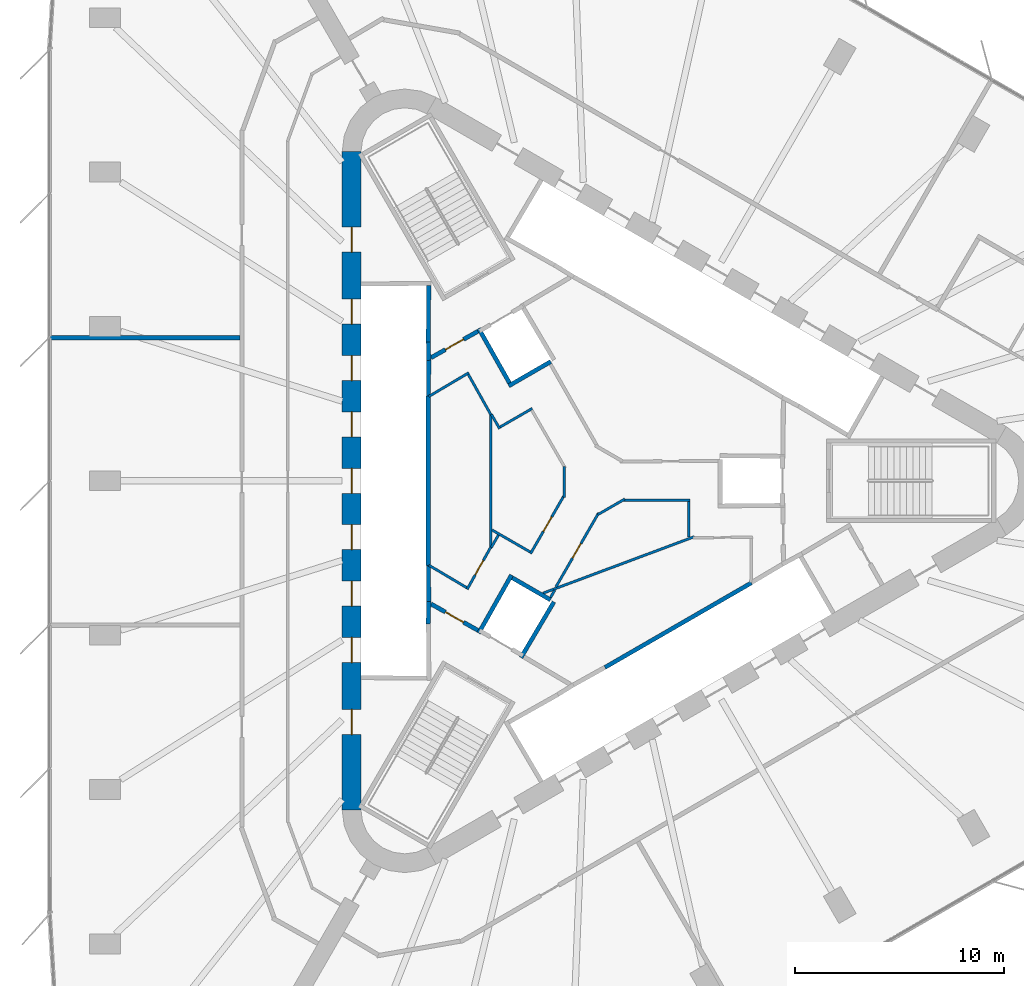
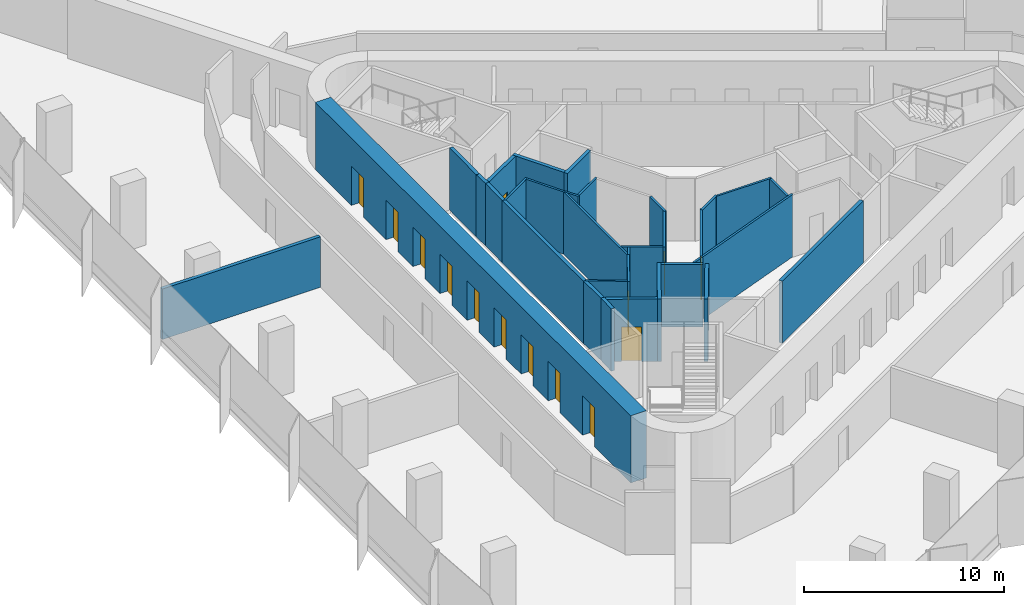
# One storey, part 10 of 14: 33 walls, 14 doors, 14 openings.
"""IFC4 building model written with IfcOpenShell, lengths in metres."""

from ifc_helpers import new_model, si_unit, direction, frame, frame_2d, origin, place, context, subcontext, project, spatial, rectangle, extrude, material, layer, layer_set, type_object, element, fill, save


model = new_model("IFC4")

# Units and contexts
model_context = context("Model", 3, precision=1e-05, world=origin(), true_north=direction((0.0, 1.0)))
body_context = subcontext(model_context, "Body", "Model", "MODEL_VIEW")
ifc_project = project(units=[si_unit("LENGTHUNIT", "METRE"), si_unit("AREAUNIT", "SQUARE_METRE"), si_unit("VOLUMEUNIT", "CUBIC_METRE"), si_unit("PLANEANGLEUNIT", "RADIAN"), si_unit("MASSUNIT", "GRAM", prefix="KILO")], contexts=[model_context])

# Site, building, storey
site_placement = place(None, origin())
site = spatial("IfcSite", under=ifc_project, at=site_placement, CompositionType="ELEMENT")
building_placement = place(site_placement, origin())
building = spatial("IfcBuilding", under=site, at=building_placement, Name="Tanit Gate Tower", CompositionType="ELEMENT")
storey_placement = place(building_placement, frame((0.0, 0.0, 53.699951171875)))
storey = spatial("IfcBuildingStorey", under=building, at=storey_placement, Name="L09", CompositionType="ELEMENT", Elevation=53.699951171875)

# Wall, openings, doors
ifc_material_1 = material(Name="Concrete C60/75", Category="concrete")
ifc_layer_1 = layer(ifc_material_1, 0.89990234375)
ifc_layer_set_1 = layer_set([ifc_layer_1], Name="CORE WALL 900 C60/75")
wall_type_1 = type_object("IfcWallType", Name="CORE WALL 900 C60/75", PredefinedType="SHEAR", material=ifc_layer_set_1)
wall_1_placement = place(storey_placement, frame((-11.64990234375, 15.76171875, 0.0), z_axis=(0.0, 0.0, 1.0), x_axis=(0.0, -1.0, 0.0)))
wall_1 = element("IfcWall", 1, at=wall_1_placement, inside=storey, type_object=wall_type_1, Name="CORE WALL", PredefinedType="SHEAR", context=body_context, shape_type="SweptSolid", body=[
    extrude(rectangle(XDim=31.5234375, YDim=0.89990234375, at=frame_2d((15.76171875, 0.0))), origin(), (0.0, 0.0, 1.0), 4.10009765625),
])
opening_1_placement = place(wall_1_placement, frame((7.061767578125, 0.0, 0.0)))
opening_1 = element("IfcOpeningElement", 2, at=opening_1_placement, cuts=wall_1, Name="Opening LDLL1-S00", PredefinedType="OPENING", context=body_context, shape_type="SweptSolid", body=[
    extrude(rectangle(XDim=1.199951171875, YDim=2.39990234375, at=frame_2d((0.60009765625, 1.199951171875))), frame((0.0, 0.4599609375, 0.0), z_axis=(0.0, -1.0, 0.0), x_axis=(1.0, 0.0, 0.0)), (0.0, 0.0, 1.0), 0.919921875),
])
opening_2_placement = place(wall_1_placement, frame((9.76171875, 0.0, 0.0)))
opening_2 = element("IfcOpeningElement", 3, at=opening_2_placement, cuts=wall_1, Name="Opening LDLL2-S00", PredefinedType="OPENING", context=body_context, shape_type="SweptSolid", body=[
    extrude(rectangle(XDim=1.199951171875, YDim=2.39990234375, at=frame_2d((0.60009765625, 1.199951171875))), frame((0.0, 0.4599609375, 0.0), z_axis=(0.0, -1.0, 0.0), x_axis=(1.0, 0.0, 0.0)), (0.0, 0.0, 1.0), 0.919921875),
])
opening_3_placement = place(wall_1_placement, frame((12.461669921875, 0.0, 0.0)))
opening_3 = element("IfcOpeningElement", 4, at=opening_3_placement, cuts=wall_1, Name="Opening LDLL3-S00", PredefinedType="OPENING", context=body_context, shape_type="SweptSolid", body=[
    extrude(rectangle(XDim=1.199951171875, YDim=2.39990234375, at=frame_2d((0.60009765625, 1.199951171875))), frame((0.0, 0.4599609375, 0.0), z_axis=(0.0, -1.0, 0.0), x_axis=(1.0, 0.0, 0.0)), (0.0, 0.0, 1.0), 0.919921875),
])
opening_4_placement = place(wall_1_placement, frame((15.16162109375, 0.0, 0.0)))
opening_4 = element("IfcOpeningElement", 5, at=opening_4_placement, cuts=wall_1, Name="Opening LDLL4-S00", PredefinedType="OPENING", context=body_context, shape_type="SweptSolid", body=[
    extrude(rectangle(XDim=1.199951171875, YDim=2.39990234375, at=frame_2d((0.60009765625, 1.199951171875))), frame((0.0, 0.4599609375, 0.0), z_axis=(0.0, -1.0, 0.0), x_axis=(1.0, 0.0, 0.0)), (0.0, 0.0, 1.0), 0.919921875),
])
opening_5_placement = place(wall_1_placement, frame((17.86181640625, 0.0, 0.0)))
opening_5 = element("IfcOpeningElement", 6, at=opening_5_placement, cuts=wall_1, Name="Opening LDLL5-S00", PredefinedType="OPENING", context=body_context, shape_type="SweptSolid", body=[
    extrude(rectangle(XDim=1.199951171875, YDim=2.39990234375, at=frame_2d((0.60009765625, 1.199951171875))), frame((0.0, 0.4599609375, 0.0), z_axis=(0.0, -1.0, 0.0), x_axis=(1.0, 0.0, 0.0)), (0.0, 0.0, 1.0), 0.919921875),
])
opening_6_placement = place(wall_1_placement, frame((20.561767578125, 0.0, 0.0)))
opening_6 = element("IfcOpeningElement", 7, at=opening_6_placement, cuts=wall_1, Name="Opening LDLL6-S00", PredefinedType="OPENING", context=body_context, shape_type="SweptSolid", body=[
    extrude(rectangle(XDim=1.199951171875, YDim=2.39990234375, at=frame_2d((0.60009765625, 1.199951171875))), frame((0.0, 0.4599609375, 0.0), z_axis=(0.0, -1.0, 0.0), x_axis=(1.0, 0.0, 0.0)), (0.0, 0.0, 1.0), 0.919921875),
])
opening_7_placement = place(wall_1_placement, frame((23.26171875, 0.0, 0.0)))
opening_7 = element("IfcOpeningElement", 8, at=opening_7_placement, cuts=wall_1, Name="Opening LDLL7-S00", PredefinedType="OPENING", context=body_context, shape_type="SweptSolid", body=[
    extrude(rectangle(XDim=1.199951171875, YDim=2.39990234375, at=frame_2d((0.60009765625, 1.199951171875))), frame((0.0, 0.4599609375, 0.0), z_axis=(0.0, -1.0, 0.0), x_axis=(1.0, 0.0, 0.0)), (0.0, 0.0, 1.0), 0.919921875),
])
opening_8_placement = place(wall_1_placement, frame((3.61181640625, 0.0, 0.0)))
opening_8 = element("IfcOpeningElement", 9, at=opening_8_placement, cuts=wall_1, Name="Opening F12-S00-FL2", PredefinedType="OPENING", context=body_context, shape_type="SweptSolid", body=[
    extrude(rectangle(XDim=1.199951171875, YDim=2.39990234375, at=frame_2d((0.60009765625, 1.199951171875))), frame((0.0, 0.4599609375, 0.0), z_axis=(0.0, -1.0, 0.0), x_axis=(1.0, 0.0, 0.0)), (0.0, 0.0, 1.0), 0.919921875),
])
opening_9_placement = place(wall_1_placement, frame((26.711669921875, 0.0, 0.0)))
opening_9 = element("IfcOpeningElement", 10, at=opening_9_placement, cuts=wall_1, Name="Opening F12-S00-S3", PredefinedType="OPENING", context=body_context, shape_type="SweptSolid", body=[
    extrude(rectangle(XDim=1.199951171875, YDim=2.39990234375, at=frame_2d((0.60009765625, 1.199951171875))), frame((0.0, 0.4599609375, 0.0), z_axis=(0.0, -1.0, 0.0), x_axis=(1.0, 0.0, 0.0)), (0.0, 0.0, 1.0), 0.919921875),
])
ifc_material_2 = material(Name="Fire-rated steel door leaf", Category="steel")
door_type_1 = type_object("IfcDoorType", Name="INT-DOOR-FIRE-LOBBY-1200", OperationType="NOTDEFINED", PredefinedType="USERDEFINED", material=ifc_material_2)
door_1_placement = place(opening_8_placement, origin())
door_1 = element("IfcDoor", 11, at=door_1_placement, inside=storey, type_object=door_type_1, Name="Door F12-S00-FL2", ObjectType="FIRE DOOR", OperationType="SINGLE_SWING_LEFT", OverallHeight=2.39990234375, OverallWidth=1.199951171875, PredefinedType="USERDEFINED", context=body_context, shape_type="SweptSolid", body=[
    extrude(rectangle(XDim=1.199951171875, YDim=2.39990234375, at=frame_2d((0.60009765625, 1.199951171875))), frame((0.0, 0.02490234375, 0.0), z_axis=(0.0, -1.0, 0.0), x_axis=(1.0, 0.0, 0.0)), (0.0, 0.0, 1.0), 0.050048828125),
])
fill(opening_8, door_1)
door_2_placement = place(opening_9_placement, origin())
door_2 = element("IfcDoor", 12, at=door_2_placement, inside=storey, type_object=door_type_1, Name="Door F12-S00-S3", ObjectType="FIRE DOOR", OperationType="SINGLE_SWING_RIGHT", OverallHeight=2.39990234375, OverallWidth=1.199951171875, PredefinedType="USERDEFINED", context=body_context, shape_type="SweptSolid", body=[
    extrude(rectangle(XDim=1.199951171875, YDim=2.39990234375, at=frame_2d((0.60009765625, 1.199951171875))), frame((0.0, 0.02490234375, 0.0), z_axis=(0.0, -1.0, 0.0), x_axis=(1.0, 0.0, 0.0)), (0.0, 0.0, 1.0), 0.050048828125),
])
fill(opening_9, door_2)
ifc_material_3 = material(Name="Stainless steel sliding door leaf", Category="steel")
door_type_2 = type_object("IfcDoorType", Name="INT-DOOR-LANDING-1200", OperationType="NOTDEFINED", PredefinedType="USERDEFINED", material=ifc_material_3)
door_3_placement = place(opening_1_placement, origin())
door_3 = element("IfcDoor", 13, at=door_3_placement, inside=storey, type_object=door_type_2, Name="Door LDLL1-S00", ObjectType="LANDING DOOR", OperationType="SLIDING_TO_LEFT", OverallHeight=2.39990234375, OverallWidth=1.199951171875, PredefinedType="USERDEFINED", context=body_context, shape_type="SweptSolid", body=[
    extrude(rectangle(XDim=1.199951171875, YDim=2.39990234375, at=frame_2d((0.60009765625, 1.199951171875))), frame((0.0, 0.02490234375, 0.0), z_axis=(0.0, -1.0, 0.0), x_axis=(1.0, 0.0, 0.0)), (0.0, 0.0, 1.0), 0.050048828125),
])
fill(opening_1, door_3)
door_4_placement = place(opening_2_placement, origin())
door_4 = element("IfcDoor", 14, at=door_4_placement, inside=storey, type_object=door_type_2, Name="Door LDLL2-S00", ObjectType="LANDING DOOR", OperationType="SLIDING_TO_LEFT", OverallHeight=2.39990234375, OverallWidth=1.199951171875, PredefinedType="USERDEFINED", context=body_context, shape_type="SweptSolid", body=[
    extrude(rectangle(XDim=1.199951171875, YDim=2.39990234375, at=frame_2d((0.60009765625, 1.199951171875))), frame((0.0, 0.02490234375, 0.0), z_axis=(0.0, -1.0, 0.0), x_axis=(1.0, 0.0, 0.0)), (0.0, 0.0, 1.0), 0.050048828125),
])
fill(opening_2, door_4)
door_5_placement = place(opening_3_placement, origin())
door_5 = element("IfcDoor", 15, at=door_5_placement, inside=storey, type_object=door_type_2, Name="Door LDLL3-S00", ObjectType="LANDING DOOR", OperationType="SLIDING_TO_LEFT", OverallHeight=2.39990234375, OverallWidth=1.199951171875, PredefinedType="USERDEFINED", context=body_context, shape_type="SweptSolid", body=[
    extrude(rectangle(XDim=1.199951171875, YDim=2.39990234375, at=frame_2d((0.60009765625, 1.199951171875))), frame((0.0, 0.02490234375, 0.0), z_axis=(0.0, -1.0, 0.0), x_axis=(1.0, 0.0, 0.0)), (0.0, 0.0, 1.0), 0.050048828125),
])
fill(opening_3, door_5)
door_6_placement = place(opening_4_placement, origin())
door_6 = element("IfcDoor", 16, at=door_6_placement, inside=storey, type_object=door_type_2, Name="Door LDLL4-S00", ObjectType="LANDING DOOR", OperationType="SLIDING_TO_LEFT", OverallHeight=2.39990234375, OverallWidth=1.199951171875, PredefinedType="USERDEFINED", context=body_context, shape_type="SweptSolid", body=[
    extrude(rectangle(XDim=1.199951171875, YDim=2.39990234375, at=frame_2d((0.60009765625, 1.199951171875))), frame((0.0, 0.02490234375, 0.0), z_axis=(0.0, -1.0, 0.0), x_axis=(1.0, 0.0, 0.0)), (0.0, 0.0, 1.0), 0.050048828125),
])
fill(opening_4, door_6)
door_7_placement = place(opening_5_placement, origin())
door_7 = element("IfcDoor", 17, at=door_7_placement, inside=storey, type_object=door_type_2, Name="Door LDLL5-S00", ObjectType="LANDING DOOR", OperationType="SLIDING_TO_LEFT", OverallHeight=2.39990234375, OverallWidth=1.199951171875, PredefinedType="USERDEFINED", context=body_context, shape_type="SweptSolid", body=[
    extrude(rectangle(XDim=1.199951171875, YDim=2.39990234375, at=frame_2d((0.60009765625, 1.199951171875))), frame((0.0, 0.02490234375, 0.0), z_axis=(0.0, -1.0, 0.0), x_axis=(1.0, 0.0, 0.0)), (0.0, 0.0, 1.0), 0.050048828125),
])
fill(opening_5, door_7)
door_8_placement = place(opening_6_placement, origin())
door_8 = element("IfcDoor", 18, at=door_8_placement, inside=storey, type_object=door_type_2, Name="Door LDLL6-S00", ObjectType="LANDING DOOR", OperationType="SLIDING_TO_LEFT", OverallHeight=2.39990234375, OverallWidth=1.199951171875, PredefinedType="USERDEFINED", context=body_context, shape_type="SweptSolid", body=[
    extrude(rectangle(XDim=1.199951171875, YDim=2.39990234375, at=frame_2d((0.60009765625, 1.199951171875))), frame((0.0, 0.02490234375, 0.0), z_axis=(0.0, -1.0, 0.0), x_axis=(1.0, 0.0, 0.0)), (0.0, 0.0, 1.0), 0.050048828125),
])
fill(opening_6, door_8)
door_9_placement = place(opening_7_placement, origin())
door_9 = element("IfcDoor", 19, at=door_9_placement, inside=storey, type_object=door_type_2, Name="Door LDLL7-S00", ObjectType="LANDING DOOR", OperationType="SLIDING_TO_LEFT", OverallHeight=2.39990234375, OverallWidth=1.199951171875, PredefinedType="USERDEFINED", context=body_context, shape_type="SweptSolid", body=[
    extrude(rectangle(XDim=1.199951171875, YDim=2.39990234375, at=frame_2d((0.60009765625, 1.199951171875))), frame((0.0, 0.02490234375, 0.0), z_axis=(0.0, -1.0, 0.0), x_axis=(1.0, 0.0, 0.0)), (0.0, 0.0, 1.0), 0.050048828125),
])
fill(opening_7, door_9)

# Wall, opening, door
ifc_material_4 = material(Name="Fire-rated gypsum board partition")
ifc_layer_2 = layer(ifc_material_4, 0.199951171875)
ifc_layer_set_2 = layer_set([ifc_layer_2], Name="INT-WALL-COMPARTMENT")
wall_type_2 = type_object("IfcWallType", Name="INT-WALL-COMPARTMENT", PredefinedType="PARTITIONING", material=ifc_layer_set_2)
wall_2_placement = place(storey_placement, frame((-5.600341796875, 7.16015625, 0.0), z_axis=(0.0, 0.0, 1.0), x_axis=(-0.871363259478, -0.490638431059, 0.0)))
wall_2 = element("IfcWall", 20, at=wall_2_placement, inside=storey, type_object=wall_type_2, Name="Wall Compartment W062", PredefinedType="PARTITIONING", context=body_context, shape_type="SweptSolid", body=[
    extrude(rectangle(XDim=2.5810546875, YDim=0.199951171875, at=frame_2d((1.29052734375, 0.0))), origin(), (0.0, 0.0, 1.0), 3.800048828125),
])
opening_10_placement = place(wall_2_placement, frame((0.79052734375, 0.0, 0.0)))
opening_10 = element("IfcOpeningElement", 21, at=opening_10_placement, cuts=wall_2, Name="Opening F10-S00-05", PredefinedType="OPENING", context=body_context, shape_type="SweptSolid", body=[
    extrude(rectangle(XDim=1.0, YDim=2.10009765625, at=frame_2d((0.5, 1.050048828125))), frame((0.0, 0.10986328125, 0.0), z_axis=(0.0, -1.0, 0.0), x_axis=(1.0, 0.0, 0.0)), (0.0, 0.0, 1.0), 0.219970703125),
])
ifc_material_5 = material(Name="Fire-rated steel door leaf", Category="steel")
door_type_3 = type_object("IfcDoorType", Name="INT-DOOR-FIRE-1000", OperationType="NOTDEFINED", PredefinedType="USERDEFINED", material=ifc_material_5)
door_10_placement = place(opening_10_placement, origin())
door_10 = element("IfcDoor", 22, at=door_10_placement, inside=storey, type_object=door_type_3, Name="Door F10-S00-05", ObjectType="FIRE DOOR", OperationType="SINGLE_SWING_LEFT", OverallHeight=2.10009765625, OverallWidth=1.0, PredefinedType="USERDEFINED", context=body_context, shape_type="SweptSolid", body=[
    extrude(rectangle(XDim=1.0, YDim=2.10009765625, at=frame_2d((0.5, 1.050048828125))), frame((0.0, 0.02490234375, 0.0), z_axis=(0.0, -1.0, 0.0), x_axis=(1.0, 0.0, 0.0)), (0.0, 0.0, 1.0), 0.050048828125),
])
fill(opening_10, door_10)

wall_3_placement = place(storey_placement, frame((-7.849365234375, -5.893798828125, 0.0), z_axis=(0.0, 0.0, 1.0), x_axis=(0.871363259478, -0.490638431059, 0.0)))
wall_3 = element("IfcWall", 23, at=wall_3_placement, inside=storey, type_object=wall_type_2, Name="Wall Compartment W064", PredefinedType="PARTITIONING", context=body_context, shape_type="SweptSolid", body=[
    extrude(rectangle(XDim=2.5810546875, YDim=0.199951171875, at=frame_2d((1.29052734375, 0.0))), origin(), (0.0, 0.0, 1.0), 3.800048828125),
])
opening_11_placement = place(wall_3_placement, frame((0.79052734375, 0.0, 0.0)))
opening_11 = element("IfcOpeningElement", 24, at=opening_11_placement, cuts=wall_3, Name="Opening F10-S00-08", PredefinedType="OPENING", context=body_context, shape_type="SweptSolid", body=[
    extrude(rectangle(XDim=1.0, YDim=2.10009765625, at=frame_2d((0.5, 1.050048828125))), frame((0.0, 0.10986328125, 0.0), z_axis=(0.0, -1.0, 0.0), x_axis=(1.0, 0.0, 0.0)), (0.0, 0.0, 1.0), 0.219970703125),
])
door_11_placement = place(opening_11_placement, origin())
door_11 = element("IfcDoor", 25, at=door_11_placement, inside=storey, type_object=door_type_3, Name="Door F10-S00-08", ObjectType="FIRE DOOR", OperationType="SINGLE_SWING_LEFT", OverallHeight=2.10009765625, OverallWidth=1.0, PredefinedType="USERDEFINED", context=body_context, shape_type="SweptSolid", body=[
    extrude(rectangle(XDim=1.0, YDim=2.10009765625, at=frame_2d((0.5, 1.050048828125))), frame((0.0, 0.02490234375, 0.0), z_axis=(0.0, -1.0, 0.0), x_axis=(1.0, 0.0, 0.0)), (0.0, 0.0, 1.0), 0.050048828125),
])
fill(opening_11, door_11)

# Walls
wall_4_placement = place(storey_placement, frame((-26.10888671875, 6.851806640625, 0.0), z_axis=(0.0, 0.0, 1.0), x_axis=(0.999999998563, 5.3604932e-05, 0.0)))
element("IfcWall", 26, at=wall_4_placement, inside=storey, type_object=wall_type_2, Name="Wall Compartment W118", PredefinedType="PARTITIONING", context=body_context, shape_type="SweptSolid", body=[
    extrude(rectangle(XDim=9.10888671875, YDim=0.199951171875, at=frame_2d((4.554443359375, 0.0))), origin(), (0.0, 0.0, 1.0), 3.080078125),
])
ifc_material_6 = material(Name="Gypsum board partition")
ifc_layer_3 = layer(ifc_material_6, 0.1201171875)
ifc_layer_set_3 = layer_set([ifc_layer_3], Name="INT-WALL-PARTITION")
wall_type_3 = type_object("IfcWallType", Name="INT-WALL-PARTITION", PredefinedType="PARTITIONING", material=ifc_layer_set_3)
wall_5_placement = place(storey_placement, frame((4.769287109375, -2.673095703125, 0.0), z_axis=(0.0, 0.0, 1.0), x_axis=(-0.936819599564, -0.349812861217, 0.0)))
element("IfcWall", 27, at=wall_5_placement, inside=storey, type_object=wall_type_3, Name="Wall Partition W068", PredefinedType="PARTITIONING", context=body_context, shape_type="SweptSolid", body=[
    extrude(rectangle(XDim=7.7392578125, YDim=0.1201171875, at=frame_2d((3.86962890625, 0.0))), origin(), (0.0, 0.0, 1.0), 3.800048828125),
])

# Wall, opening, door
wall_6_placement = place(storey_placement, frame((0.181884765625, -1.534912109375, 0.0), z_axis=(0.0, 0.0, 1.0), x_axis=(-0.499966268063, -0.866044878051, 0.0)))
wall_6 = element("IfcWall", 28, at=wall_6_placement, inside=storey, type_object=wall_type_3, Name="Wall Partition W069", PredefinedType="PARTITIONING", context=body_context, shape_type="SweptSolid", body=[
    extrude(rectangle(XDim=4.102783203125, YDim=0.1201171875, at=frame_2d((2.05126953125, 0.0))), origin(), (0.0, 0.0, 1.0), 3.800048828125),
])
opening_12_placement = place(wall_6_placement, frame((1.703369140625, 0.0, 0.0)))
opening_12 = element("IfcOpeningElement", 29, at=opening_12_placement, cuts=wall_6, Name="Opening R08-S00-11", PredefinedType="OPENING", context=body_context, shape_type="SweptSolid", body=[
    extrude(rectangle(XDim=0.800048828125, YDim=2.10009765625, at=frame_2d((0.39990234375, 1.050048828125))), frame((0.0, 0.070068359375, 0.0), z_axis=(0.0, -1.0, 0.0), x_axis=(1.0, 0.0, 0.0)), (0.0, 0.0, 1.0), 0.14013671875),
])
ifc_material_7 = material(Name="Timber door leaf", Category="wood")
door_type_4 = type_object("IfcDoorType", Name="INT-DOOR-RISER-800", OperationType="NOTDEFINED", PredefinedType="USERDEFINED", material=ifc_material_7)
door_12_placement = place(opening_12_placement, origin())
door_12 = element("IfcDoor", 30, at=door_12_placement, inside=storey, type_object=door_type_4, Name="Door R08-S00-11", ObjectType="FIRE DOOR", OperationType="SINGLE_SWING_RIGHT", OverallHeight=2.10009765625, OverallWidth=0.800048828125, PredefinedType="USERDEFINED", context=body_context, shape_type="SweptSolid", body=[
    extrude(rectangle(XDim=0.800048828125, YDim=2.10009765625, at=frame_2d((0.39990234375, 1.050048828125))), frame((0.0, 0.02490234375, 0.0), z_axis=(0.0, -1.0, 0.0), x_axis=(1.0, 0.0, 0.0)), (0.0, 0.0, 1.0), 0.050048828125),
])
fill(opening_12, door_12)

# Walls
wall_7_placement = place(storey_placement, frame((1.432373046875, -0.873046875, 0.0), z_axis=(0.0, 0.0, 1.0), x_axis=(-0.866029572143, -0.499992780121, 0.0)))
element("IfcWall", 31, at=wall_7_placement, inside=storey, type_object=wall_type_3, Name="Wall Partition W070", PredefinedType="PARTITIONING", context=body_context, shape_type="SweptSolid", body=[
    extrude(rectangle(XDim=1.4853515625, YDim=0.1201171875, at=frame_2d((0.74267578125, 0.0))), origin(), (0.0, 0.0, 1.0), 3.800048828125),
])
wall_8_placement = place(storey_placement, frame((4.56005859375, -0.925048828125, 0.0), z_axis=(0.0, 0.0, 1.0), x_axis=(-1.0, 0.0, 0.0)))
element("IfcWall", 32, at=wall_8_placement, inside=storey, type_object=wall_type_3, Name="Wall Partition W071", PredefinedType="PARTITIONING", context=body_context, shape_type="SweptSolid", body=[
    extrude(rectangle(XDim=3.19921875, YDim=0.1201171875, at=frame_2d((1.599609375, 0.0))), origin(), (0.0, 0.0, 1.0), 3.800048828125),
])
wall_9_placement = place(storey_placement, frame((4.5, -2.699951171875, 0.0), z_axis=(0.0, 0.0, 1.0), x_axis=(0.0, 1.0, 0.0)))
element("IfcWall", 33, at=wall_9_placement, inside=storey, type_object=wall_type_3, Name="Wall Partition W072", PredefinedType="PARTITIONING", context=body_context, shape_type="SweptSolid", body=[
    extrude(rectangle(XDim=1.71484375, YDim=0.1201171875, at=frame_2d((0.857421875, 0.0))), origin(), (0.0, 0.0, 1.0), 3.800048828125),
])
wall_10_placement = place(storey_placement, frame((-1.92041015625, -5.235107421875, 0.0), z_axis=(0.0, 0.0, 1.0), x_axis=(-0.499566316511, -0.86627564632, 0.0)))
element("IfcWall", 34, at=wall_10_placement, inside=storey, type_object=wall_type_3, Name="Wall Partition W073", PredefinedType="PARTITIONING", context=body_context, shape_type="SweptSolid", body=[
    extrude(rectangle(XDim=0.406005859375, YDim=0.1201171875, at=frame_2d((0.203125, 0.0))), origin(), (0.0, 0.0, 1.0), 3.800048828125),
])
wall_11_placement = place(storey_placement, frame((-4.985107421875, -3.234619140625, 0.0), z_axis=(0.0, 0.0, 1.0), x_axis=(0.0, 1.0, 0.0)))
element("IfcWall", 35, at=wall_11_placement, inside=storey, type_object=wall_type_3, Name="Wall Partition W076", PredefinedType="PARTITIONING", context=body_context, shape_type="SweptSolid", body=[
    extrude(rectangle(XDim=6.46923828125, YDim=0.1201171875, at=frame_2d((3.234619140625, 0.0))), origin(), (0.0, 0.0, 1.0), 3.800048828125),
])

# Wall, opening, door
wall_12_placement = place(storey_placement, frame((-6.11767578125, -5.197509765625, 0.0), z_axis=(0.0, 0.0, 1.0), x_axis=(0.488782681023, 0.872405576972, 0.0)))
wall_12 = element("IfcWall", 36, at=wall_12_placement, inside=storey, type_object=wall_type_3, Name="Wall Partition W077", PredefinedType="PARTITIONING", context=body_context, shape_type="SweptSolid", body=[
    extrude(rectangle(XDim=2.321533203125, YDim=0.1201171875, at=frame_2d((1.16064453125, 0.0))), origin(), (0.0, 0.0, 1.0), 3.800048828125),
])
opening_13_placement = place(wall_12_placement, frame((0.790771484375, 0.0, 0.0)))
opening_13 = element("IfcOpeningElement", 37, at=opening_13_placement, cuts=wall_12, Name="Opening R08-S00-13", PredefinedType="OPENING", context=body_context, shape_type="SweptSolid", body=[
    extrude(rectangle(XDim=0.800048828125, YDim=2.10009765625, at=frame_2d((0.39990234375, 1.050048828125))), frame((0.0, 0.070068359375, 0.0), z_axis=(0.0, -1.0, 0.0), x_axis=(1.0, 0.0, 0.0)), (0.0, 0.0, 1.0), 0.14013671875),
])
door_13_placement = place(opening_13_placement, origin())
door_13 = element("IfcDoor", 38, at=door_13_placement, inside=storey, type_object=door_type_4, Name="Door R08-S00-13", ObjectType="FIRE DOOR", OperationType="SINGLE_SWING_RIGHT", OverallHeight=2.10009765625, OverallWidth=0.800048828125, PredefinedType="USERDEFINED", context=body_context, shape_type="SweptSolid", body=[
    extrude(rectangle(XDim=0.800048828125, YDim=2.10009765625, at=frame_2d((0.39990234375, 1.050048828125))), frame((0.0, 0.02490234375, 0.0), z_axis=(0.0, -1.0, 0.0), x_axis=(1.0, 0.0, 0.0)), (0.0, 0.0, 1.0), 0.050048828125),
])
fill(opening_13, door_13)

# Walls
wall_13_placement = place(storey_placement, frame((-7.949951171875, -4.041015625, 0.0), z_axis=(0.0, 0.0, 1.0), x_axis=(0.860112457103, -0.510104461004, 0.0)))
element("IfcWall", 39, at=wall_13_placement, inside=storey, type_object=wall_type_3, Name="Wall Partition W078", PredefinedType="PARTITIONING", context=body_context, shape_type="SweptSolid", body=[
    extrude(rectangle(XDim=2.1044921875, YDim=0.1201171875, at=frame_2d((1.05224609375, 0.0))), origin(), (0.0, 0.0, 1.0), 3.800048828125),
])
wall_14_placement = place(storey_placement, frame((-6.03662109375, 5.17578125, 0.0), z_axis=(0.0, 0.0, 1.0), x_axis=(-0.860106072674, -0.510115225953, 0.0)))
element("IfcWall", 40, at=wall_14_placement, inside=storey, type_object=wall_type_3, Name="Wall Partition W079", PredefinedType="PARTITIONING", context=body_context, shape_type="SweptSolid", body=[
    extrude(rectangle(XDim=2.224609375, YDim=0.1201171875, at=frame_2d((1.1123046875, 0.0))), origin(), (0.0, 0.0, 1.0), 3.800048828125),
])
wall_15_placement = place(storey_placement, frame((-4.98291015625, 3.172119140625, 0.0), z_axis=(0.0, 0.0, 1.0), x_axis=(-0.488728310113, 0.872436037136, 0.0)))
element("IfcWall", 41, at=wall_15_placement, inside=storey, type_object=wall_type_3, Name="Wall Partition W080", PredefinedType="PARTITIONING", context=body_context, shape_type="SweptSolid", body=[
    extrude(rectangle(XDim=2.201416015625, YDim=0.1201171875, at=frame_2d((1.1005859375, 0.0))), origin(), (0.0, 0.0, 1.0), 3.800048828125),
])
wall_16_placement = place(storey_placement, frame((-4.558349609375, 2.4951171875, 0.0), z_axis=(0.0, 0.0, 1.0), x_axis=(-0.499757756434, 0.866165218006, 0.0)))
element("IfcWall", 42, at=wall_16_placement, inside=storey, type_object=wall_type_3, Name="Wall Partition W081", PredefinedType="PARTITIONING", context=body_context, shape_type="SweptSolid", body=[
    extrude(rectangle(XDim=0.79833984375, YDim=0.1201171875, at=frame_2d((0.399169921875, 0.0))), origin(), (0.0, 0.0, 1.0), 3.800048828125),
])
wall_17_placement = place(storey_placement, frame((-2.9990234375, 3.464599609375, 0.0), z_axis=(0.0, 0.0, 1.0), x_axis=(-0.866059624469, -0.499940723351, 0.0)))
element("IfcWall", 43, at=wall_17_placement, inside=storey, type_object=wall_type_3, Name="Wall Partition W082", PredefinedType="PARTITIONING", context=body_context, shape_type="SweptSolid", body=[
    extrude(rectangle(XDim=1.775146484375, YDim=0.1201171875, at=frame_2d((0.8876953125, 0.0))), origin(), (0.0, 0.0, 1.0), 3.800048828125),
])
wall_18_placement = place(storey_placement, frame((-1.47216796875, -0.803955078125, 0.0), z_axis=(0.0, 0.0, 1.0), x_axis=(0.0, 1.0, 0.0)))
element("IfcWall", 44, at=wall_18_placement, inside=storey, type_object=wall_type_3, Name="Wall Partition W084", PredefinedType="PARTITIONING", context=body_context, shape_type="SweptSolid", body=[
    extrude(rectangle(XDim=1.4853515625, YDim=0.1201171875, at=frame_2d((0.74267578125, 0.0))), origin(), (0.0, 0.0, 1.0), 3.800048828125),
])

# Wall, opening, door
wall_19_placement = place(storey_placement, frame((-3.0810546875, -3.486572265625, 0.0), z_axis=(0.0, 0.0, 1.0), x_axis=(0.500013115284, 0.866017831539, 0.0)))
wall_19 = element("IfcWall", 45, at=wall_19_placement, inside=storey, type_object=wall_type_3, Name="Wall Partition W085", PredefinedType="PARTITIONING", context=body_context, shape_type="SweptSolid", body=[
    extrude(rectangle(XDim=3.19921875, YDim=0.1201171875, at=frame_2d((1.599609375, 0.0))), origin(), (0.0, 0.0, 1.0), 3.800048828125),
])
opening_14_placement = place(wall_19_placement, frame((1.2294921875, 0.0, 0.0)))
opening_14 = element("IfcOpeningElement", 46, at=opening_14_placement, cuts=wall_19, Name="Opening R08-S00-14", PredefinedType="OPENING", context=body_context, shape_type="SweptSolid", body=[
    extrude(rectangle(XDim=0.800048828125, YDim=2.10009765625, at=frame_2d((0.39990234375, 1.050048828125))), frame((0.0, 0.070068359375, 0.0), z_axis=(0.0, -1.0, 0.0), x_axis=(1.0, 0.0, 0.0)), (0.0, 0.0, 1.0), 0.14013671875),
])
door_14_placement = place(opening_14_placement, origin())
door_14 = element("IfcDoor", 47, at=door_14_placement, inside=storey, type_object=door_type_4, Name="Door R08-S00-14", ObjectType="FIRE DOOR", OperationType="SINGLE_SWING_RIGHT", OverallHeight=2.10009765625, OverallWidth=0.800048828125, PredefinedType="USERDEFINED", context=body_context, shape_type="SweptSolid", body=[
    extrude(rectangle(XDim=0.800048828125, YDim=2.10009765625, at=frame_2d((0.39990234375, 1.050048828125))), frame((0.0, 0.02490234375, 0.0), z_axis=(0.0, -1.0, 0.0), x_axis=(1.0, 0.0, 0.0)), (0.0, 0.0, 1.0), 0.050048828125),
])
fill(opening_14, door_14)

# Walls
wall_20_placement = place(storey_placement, frame((-4.92529296875, -2.3525390625, 0.0), z_axis=(0.0, 0.0, 1.0), x_axis=(0.86604260665, -0.49997020258, 0.0)))
element("IfcWall", 48, at=wall_20_placement, inside=storey, type_object=wall_type_3, Name="Wall Partition W086", PredefinedType="PARTITIONING", context=body_context, shape_type="SweptSolid", body=[
    extrude(rectangle(XDim=2.104248046875, YDim=0.1201171875, at=frame_2d((1.05224609375, 0.0))), origin(), (0.0, 0.0, 1.0), 3.800048828125),
])
wall_21_placement = place(storey_placement, frame((-4.957275390625, -3.1865234375, 0.0), z_axis=(0.0, 0.0, 1.0), x_axis=(0.499971721724, 0.866041729639, 0.0)))
element("IfcWall", 49, at=wall_21_placement, inside=storey, type_object=wall_type_3, Name="Wall Partition W087", PredefinedType="PARTITIONING", context=body_context, shape_type="SweptSolid", body=[
    extrude(rectangle(XDim=0.67822265625, YDim=0.1201171875, at=frame_2d((0.339111328125, 0.0))), origin(), (0.0, 0.0, 1.0), 3.800048828125),
])
ifc_material_8 = material(Name="Gypsum shaft wall system")
ifc_layer_4 = layer(ifc_material_8, 0.199951171875)
ifc_layer_set_4 = layer_set([ifc_layer_4], Name="INT-WALL-SHAFT")
wall_type_4 = type_object("IfcWallType", Name="INT-WALL-SHAFT", PredefinedType="PLUMBINGWALL", material=ifc_layer_set_4)
wall_22_placement = place(storey_placement, frame((-7.951171875, 9.35009765625, 0.0), z_axis=(0.0, 0.0, 1.0), x_axis=(-0.011120469654, -0.999938165666, 0.0)))
element("IfcWall", 50, at=wall_22_placement, inside=storey, type_object=wall_type_4, Name="Wall Shaft W002", PredefinedType="PLUMBINGWALL", context=body_context, shape_type="SweptSolid", body=[
    extrude(rectangle(XDim=2.700439453125, YDim=0.199951171875, at=frame_2d((1.35009765625, 0.0))), origin(), (0.0, 0.0, 1.0), 3.800048828125),
])
wall_23_placement = place(storey_placement, frame((-7.97705078125, 6.650146484375, 0.0), z_axis=(0.0, 0.0, 1.0), x_axis=(0.030861509705, -0.999523670164, 0.0)))
element("IfcWall", 51, at=wall_23_placement, inside=storey, type_object=wall_type_4, Name="Wall Shaft W004", PredefinedType="PLUMBINGWALL", context=body_context, shape_type="SweptSolid", body=[
    extrude(rectangle(XDim=0.878173828125, YDim=0.199951171875, at=frame_2d((0.43896484375, 0.0))), origin(), (0.0, 0.0, 1.0), 3.800048828125),
])
wall_24_placement = place(storey_placement, frame((-7.94921875, 5.894775390625, 0.0), z_axis=(0.0, 0.0, 1.0), x_axis=(-0.012042535896, -0.999927486035, 0.0)))
element("IfcWall", 52, at=wall_24_placement, inside=storey, type_object=wall_type_4, Name="Wall Shaft W005", PredefinedType="PLUMBINGWALL", context=body_context, shape_type="SweptSolid", body=[
    extrude(rectangle(XDim=1.844970703125, YDim=0.199951171875, at=frame_2d((0.92236328125, 0.0))), origin(), (0.0, 0.0, 1.0), 3.800048828125),
])
wall_25_placement = place(storey_placement, frame((-7.97998046875, 4.050048828125, 0.0), z_axis=(0.0, 0.0, 1.0), x_axis=(0.0, -1.0, 0.0)))
element("IfcWall", 53, at=wall_25_placement, inside=storey, type_object=wall_type_4, Name="Wall Shaft W006", PredefinedType="PLUMBINGWALL", context=body_context, shape_type="SweptSolid", body=[
    extrude(rectangle(XDim=8.10009765625, YDim=0.199951171875, at=frame_2d((4.050048828125, 0.0))), origin(), (0.0, 0.0, 1.0), 3.800048828125),
])
wall_26_placement = place(storey_placement, frame((-7.949951171875, -5.7724609375, 0.0), z_axis=(0.0, 0.0, 1.0), x_axis=(-0.030803413295, -0.999525462272, 0.0)))
element("IfcWall", 54, at=wall_26_placement, inside=storey, type_object=wall_type_4, Name="Wall Shaft W009", PredefinedType="PLUMBINGWALL", context=body_context, shape_type="SweptSolid", body=[
    extrude(rectangle(XDim=1.077880859375, YDim=0.199951171875, at=frame_2d((0.5390625, 0.0))), origin(), (0.0, 0.0, 1.0), 3.800048828125),
])
wall_27_placement = place(storey_placement, frame((-7.971435546875, -4.050048828125, 0.0), z_axis=(0.0, 0.0, 1.0), x_axis=(0.012042535896, -0.999927486035, 0.0)))
element("IfcWall", 55, at=wall_27_placement, inside=storey, type_object=wall_type_4, Name="Wall Shaft W010", PredefinedType="PLUMBINGWALL", context=body_context, shape_type="SweptSolid", body=[
    extrude(rectangle(XDim=1.844970703125, YDim=0.199951171875, at=frame_2d((0.92236328125, 0.0))), origin(), (0.0, 0.0, 1.0), 3.800048828125),
])
wall_28_placement = place(storey_placement, frame((0.482666015625, -8.935791015625, 0.0), z_axis=(0.0, 0.0, 1.0), x_axis=(0.866030989016, 0.499990325971, 0.0)))
element("IfcWall", 56, at=wall_28_placement, inside=storey, type_object=wall_type_4, Name="Wall Shaft W031", PredefinedType="PLUMBINGWALL", context=body_context, shape_type="SweptSolid", body=[
    extrude(rectangle(XDim=8.099853515625, YDim=0.199951171875, at=frame_2d((4.0498046875, 0.0))), origin(), (0.0, 0.0, 1.0), 3.800048828125),
])
wall_29_placement = place(storey_placement, frame((-2.1083984375, 5.7109375, 0.0), z_axis=(0.0, 0.0, 1.0), x_axis=(-0.866009305107, -0.50002788269, 0.0)))
element("IfcWall", 57, at=wall_29_placement, inside=storey, type_object=wall_type_4, Name="Wall Shaft W047", PredefinedType="PLUMBINGWALL", context=body_context, shape_type="SweptSolid", body=[
    extrude(rectangle(XDim=2.329345703125, YDim=0.199951171875, at=frame_2d((1.16455078125, 0.0))), origin(), (0.0, 0.0, 1.0), 3.800048828125),
])
wall_30_placement = place(storey_placement, frame((-5.5625, 7.29638671875, 0.0), z_axis=(0.0, 0.0, 1.0), x_axis=(0.49134651263, -0.870964180966, 0.0)))
element("IfcWall", 58, at=wall_30_placement, inside=storey, type_object=wall_type_4, Name="Wall Shaft W048", PredefinedType="PLUMBINGWALL", context=body_context, shape_type="SweptSolid", body=[
    extrude(rectangle(XDim=3.000244140625, YDim=0.199951171875, at=frame_2d((1.5, 0.0))), origin(), (0.0, 0.0, 1.0), 3.800048828125),
])
wall_31_placement = place(storey_placement, frame((-1.960693359375, -5.796142578125, 0.0), z_axis=(0.0, 0.0, 1.0), x_axis=(-0.508647062354, -0.860975125052, 0.0)))
element("IfcWall", 59, at=wall_31_placement, inside=storey, type_object=wall_type_4, Name="Wall Shaft W054", PredefinedType="PLUMBINGWALL", context=body_context, shape_type="SweptSolid", body=[
    extrude(rectangle(XDim=3.10009765625, YDim=0.199951171875, at=frame_2d((1.550048828125, 0.0))), origin(), (0.0, 0.0, 1.0), 3.800048828125),
])
wall_32_placement = place(storey_placement, frame((-3.989990234375, -4.509033203125, 0.0), z_axis=(0.0, 0.0, 1.0), x_axis=(-0.491358283181, -0.870957540612, 0.0)))
element("IfcWall", 60, at=wall_32_placement, inside=storey, type_object=wall_type_4, Name="Wall Shaft W055", PredefinedType="PLUMBINGWALL", context=body_context, shape_type="SweptSolid", body=[
    extrude(rectangle(XDim=3.200439453125, YDim=0.199951171875, at=frame_2d((1.60009765625, 0.0))), origin(), (0.0, 0.0, 1.0), 3.800048828125),
])
wall_33_placement = place(storey_placement, frame((-3.95263671875, -4.646240234375, 0.0), z_axis=(0.0, 0.0, 1.0), x_axis=(0.866060616833, -0.499939004251, 0.0)))
element("IfcWall", 61, at=wall_33_placement, inside=storey, type_object=wall_type_4, Name="Wall Shaft W056", PredefinedType="PLUMBINGWALL", context=body_context, shape_type="SweptSolid", body=[
    extrude(rectangle(XDim=2.114501953125, YDim=0.199951171875, at=frame_2d((1.05712890625, 0.0))), origin(), (0.0, 0.0, 1.0), 3.800048828125),
])

save(model, "model.ifc")
